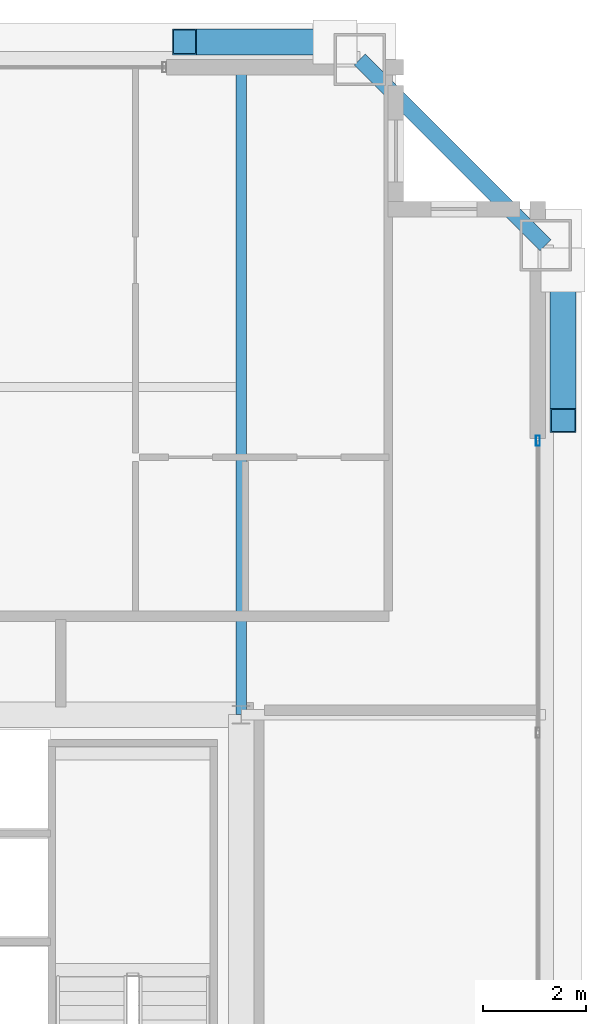
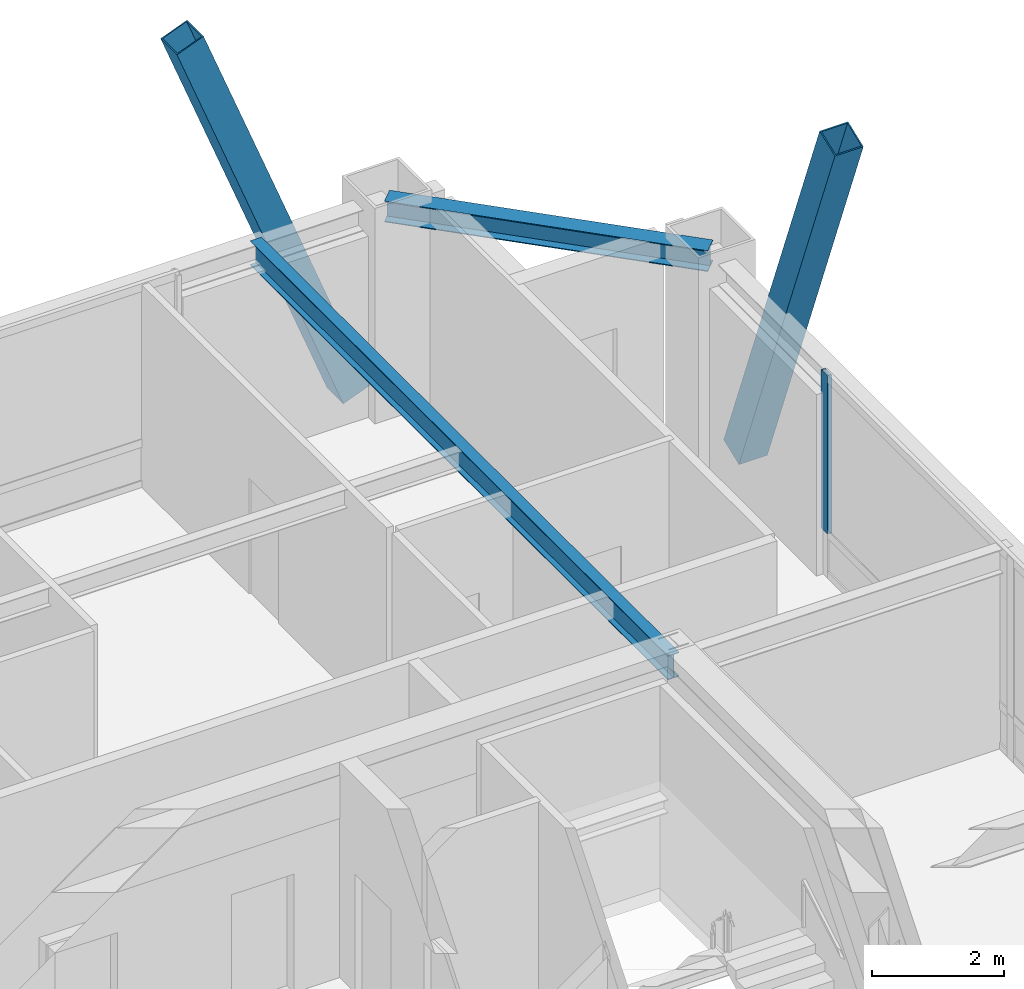
# One storey, part 19 of 35: 3 members, 2 beams, 1 element without a shape of its own.
"""IFC4 building model written with IfcOpenShell, lengths in metres."""

from ifc_helpers import new_model, si_unit, direction, frame, origin, origin_2d, place, context, subcontext, project, spatial, hollow_rectangle, i_section, extrude, source, transform, mapped, material, layer, layer_set, material_profile, profile_set, type_object, element, aggregate, save


model = new_model("IFC4")

# Units and contexts
model_context = context("Model", 3, precision=1e-05, world=origin(), true_north=direction((0.0, 1.0)))
body_context = subcontext(model_context, "Body", "Model", "MODEL_VIEW")
ifc_project = project(units=[si_unit("LENGTHUNIT", "METRE"), si_unit("AREAUNIT", "SQUARE_METRE"), si_unit("VOLUMEUNIT", "CUBIC_METRE"), si_unit("PLANEANGLEUNIT", "RADIAN"), si_unit("MASSUNIT", "GRAM", prefix="KILO"), si_unit("THERMODYNAMICTEMPERATUREUNIT", "KELVIN"), si_unit("POWERUNIT", "WATT")], contexts=[model_context])

# Site, building, storey
site_placement = place(None, origin())
site = spatial("IfcSite", under=ifc_project, at=site_placement, CompositionType="ELEMENT")
building_placement = place(site_placement, origin())
building = spatial("IfcBuilding", under=site, at=building_placement, Name="Yuzanri Waterfront Tower", CompositionType="ELEMENT")
storey_placement = place(building_placement, frame((0.0, 0.0, 343.199951171875)))
storey = spatial("IfcBuildingStorey", under=building, at=storey_placement, Name="L92", CompositionType="ELEMENT", Elevation=343.199951171875)

# Beams
ifc_material_1 = material(Name="Steel Q355B", Category="steel")
ifc_material_profile_1 = material_profile(ifc_material_1, i_section(OverallWidth=0.300048828125, OverallDepth=0.389892578125, WebThickness=0.010009765625, FlangeThickness=0.01611328125, at=origin_2d()), Name="HM 390x300x10x16")
ifc_profile_set_1 = profile_set([ifc_material_profile_1], Name="Steel Q355B")
beam_type_1 = type_object("IfcBeamType", Name="Perimeter Spandrel Q355B HM 390x300", PredefinedType="SPANDREL", material=ifc_profile_set_1)
shared_shape_1 = source(origin(), body_context, "Body", "SweptSolid", [
    extrude(i_section(OverallWidth=0.300048828125, OverallDepth=0.389892578125, WebThickness=0.010009765625, FlangeThickness=0.01611328125, at=origin_2d()), origin(), (0.0, 0.0, 1.0), 5.091064453125),
])
beam_1_placement = place(storey_placement, frame((56.10009765625, 41.300048828125, 3.56494140625), z_axis=(-0.707130757816, 0.707082803744, 0.0), x_axis=(-0.707082803744, -0.707130757816, 0.0)))
element("IfcBeam", 1, at=beam_1_placement, inside=storey, type_object=beam_type_1, Name="L92 Perimeter Spandrel E3-N3", PredefinedType="SPANDREL", context=body_context, shape_type="MappedRepresentation", body=[
    mapped(shared_shape_1, transform((0.0, 0.0, 0.0), scale=1.0)),
])
ifc_material_2 = material(Name="Steel Q355B", Category="steel")
ifc_material_profile_2 = material_profile(ifc_material_2, i_section(OverallWidth=0.199951171875, OverallDepth=0.449951171875, WebThickness=0.009033203125, FlangeThickness=0.013916015625, at=origin_2d()), Name="HN 450x200x9x14")
ifc_profile_set_2 = profile_set([ifc_material_profile_2], Name="Steel Q355B")
beam_type_2 = type_object("IfcBeamType", Name="Secondary Floor Beam Q355B HN 450x200", PredefinedType="BEAM", material=ifc_profile_set_2)
shared_shape_2 = source(origin(), body_context, "Body", "SweptSolid", [
    extrude(i_section(OverallWidth=0.199951171875, OverallDepth=0.449951171875, WebThickness=0.009033203125, FlangeThickness=0.013916015625, at=origin_2d()), origin(), (0.0, 0.0, 1.0), 12.699951171875),
])
beam_2_placement = place(storey_placement, frame((50.199951171875, 32.199951171875, 3.53515625), z_axis=(0.0, 1.0, 0.0), x_axis=(-1.0, 0.0, 0.0)))
element("IfcBeam", 2, at=beam_2_placement, inside=storey, type_object=beam_type_2, Name="L92 North-East Core Line Beam", PredefinedType="BEAM", context=body_context, shape_type="MappedRepresentation", body=[
    mapped(shared_shape_2, transform((0.0, 0.0, 0.0), scale=1.0)),
])

# Members
ifc_material_3 = material(Name="Steel Q390GJC", Category="steel")
ifc_material_profile_3 = material_profile(ifc_material_3, hollow_rectangle(XDim=0.5, YDim=0.5, WallThickness=0.02197265625, at=origin_2d()), Name="RHS 500x500x22")
ifc_profile_set_3 = profile_set([ifc_material_profile_3], Name="Steel Q390GJC")
member_type_1 = type_object("IfcMemberType", Name="Mega Brace Upper Q390GJC RHS 500x500x22", PredefinedType="BRACE", material=ifc_profile_set_3)
shared_shape_3 = source(origin(), body_context, "Body", "SweptSolid", [
    extrude(hollow_rectangle(XDim=0.5, YDim=0.5, WallThickness=0.02197265625, at=origin_2d()), origin(), (0.0, 0.0, 1.0), 8.04833984375),
])
for number, where, z_axis, x_axis, name in (
    (3, (52.02001953125, 45.239990234375, 0.179931640625), (-0.362797559625, 0.0, 0.931867979238), (0.0, -1.0, 0.0), "L92-L93 Perimeter Mega-Brace N-R"),
    (4, (56.43994140625, 40.820068359375, 0.179931640625), (0.0, -0.362823900779, 0.931857723595), (1.0, 0.0, 0.0), "L92-L93 Perimeter Mega-Brace E-R"),
):
    element("IfcMember", number, at=place(storey_placement, frame(where, z_axis=z_axis, x_axis=x_axis)), inside=storey, type_object=member_type_1, Name=name, PredefinedType="BRACE", context=body_context, shape_type="MappedRepresentation", body=[
        mapped(shared_shape_3, transform((0.0, 0.0, 0.0), scale=1.0)),
    ])

# Curtain wall, member
ifc_material_4 = material(Name="Anodized Architectural Bronze", Category="metal")
ifc_layer = layer(ifc_material_4, 0.159912109375)
ifc_layer_set = layer_set([ifc_layer], Name="Anodized Architectural Bronze")
curtain_wall_type = type_object("IfcCurtainWallType", Name="Anodized Bronze High-Rise Penthouse High-Wind Unitized Curtain Wall 6900", PredefinedType="NOTDEFINED", material=ifc_layer_set)
curtain_wall_placement = place(storey_placement, origin())
curtain_wall = element("IfcCurtainWall", 5, at=curtain_wall_placement, inside=storey, type_object=curtain_wall_type, Name="L92 Curtain Wall CW-L92-ER", PredefinedType="NOTDEFINED")
ifc_material_5 = material(Name="Anodized Architectural Bronze", Category="metal")
ifc_material_profile_4 = material_profile(ifc_material_5, hollow_rectangle(XDim=0.074951171875, YDim=0.199951171875, WallThickness=0.00390625, at=origin_2d()), Name="CWM 75x200")
ifc_profile_set_4 = profile_set([ifc_material_profile_4], Name="Anodized Architectural Bronze")
member_type_2 = type_object("IfcMemberType", Name="Anodized Bronze Primary Curtain-Wall Mullion 75x200", PredefinedType="MULLION", material=ifc_profile_set_4)
shared_shape_4 = source(origin(), body_context, "Body", "SweptSolid", [
    extrude(hollow_rectangle(XDim=0.074951171875, YDim=0.199951171875, WallThickness=0.00390625, at=origin_2d()), origin(), (0.0, 0.0, 1.0), 2.93798828125),
])
member_placement = place(storey_placement, frame((55.949951171875, 37.510009765625, 0.822021484375), z_axis=(0.0, 0.0, 1.0), x_axis=(1.0, 0.0, 0.0)))
member = element("IfcMember", 6, at=member_placement, type_object=member_type_2, Name="CW-L92-ER Upper Mullion 02", PredefinedType="MULLION", context=body_context, shape_type="MappedRepresentation", body=[
    mapped(shared_shape_4, transform((0.0, 0.0, 0.0), scale=1.0)),
])
aggregate(curtain_wall, [member])

save(model, "model.ifc")
